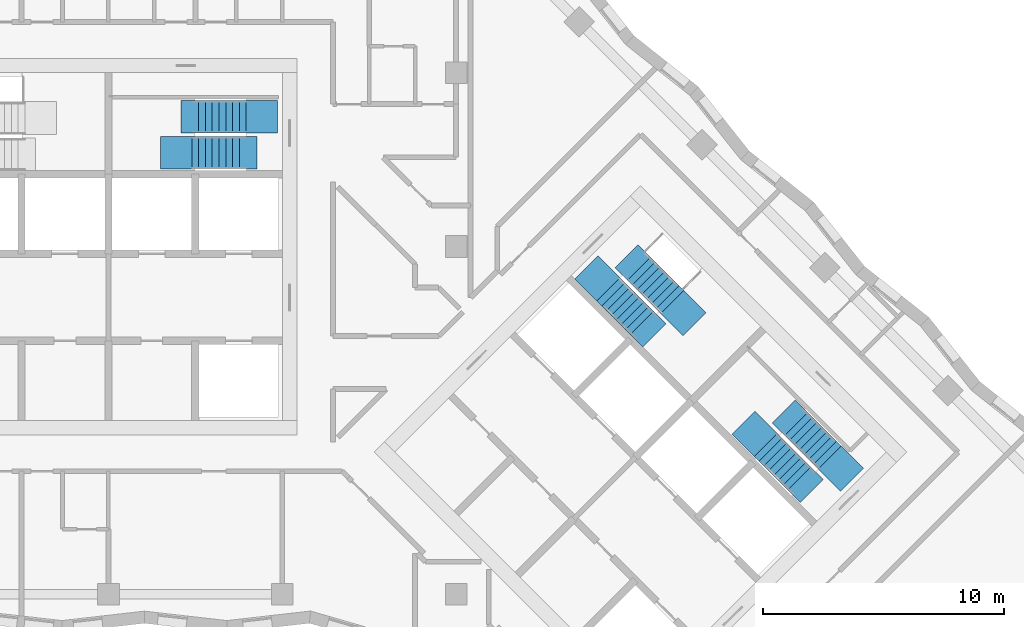
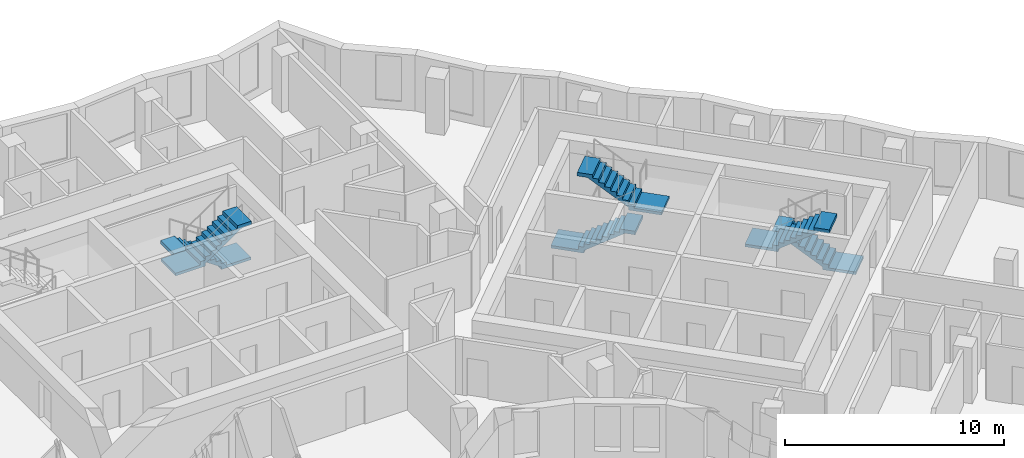
# One storey, part 10 of 12: 6 stair flights, 3 elements without a shape of their own.
"""IFC4 building model written with IfcOpenShell, lengths in metres."""

from ifc_helpers import new_model, si_unit, direction, frame, origin, place, context, subcontext, project, spatial, polyline, outline, extrude, material, type_object, element, aggregate, save


model = new_model("IFC4")

# Units and contexts
model_context = context("Model", 3, precision=1e-05, world=origin(), true_north=direction((0.0, 1.0)))
body_context = subcontext(model_context, "Body", "Model", "MODEL_VIEW")
ifc_project = project(units=[si_unit("LENGTHUNIT", "METRE"), si_unit("AREAUNIT", "SQUARE_METRE"), si_unit("VOLUMEUNIT", "CUBIC_METRE"), si_unit("PLANEANGLEUNIT", "RADIAN"), si_unit("MASSUNIT", "GRAM", prefix="KILO")], contexts=[model_context])

# Site, building, storey
site_placement = place(None, origin())
site = spatial("IfcSite", under=ifc_project, at=site_placement, CompositionType="ELEMENT")
building_placement = place(site_placement, origin())
building = spatial("IfcBuilding", under=site, at=building_placement, Name="Windrow Commons", CompositionType="ELEMENT")
storey_placement = place(building_placement, frame((0.0, 0.0, 145.6)))
storey = spatial("IfcBuildingStorey", under=building, at=storey_placement, Name="L39", CompositionType="ELEMENT", Elevation=145.6)

# Stair, stair flights
ifc_material_1 = material(Name="Concrete C40/50", Category="concrete")
stair_type = type_object("IfcStairType", Name="Core stair", PredefinedType="HALF_TURN_STAIR", material=ifc_material_1)
placement = place(storey_placement, origin())
stair_1 = element("IfcStair", 1, at=placement, inside=storey, type_object=stair_type, Name="L39 Exit stair A2 core A", PredefinedType="HALF_TURN_STAIR")
ifc_material_2 = material(Name="Concrete C40/50", Category="concrete")
stair_flight_type = type_object("IfcStairFlightType", Name="Core stair flight", PredefinedType="STRAIGHT", material=ifc_material_2)
stair_flight_1_placement = place(storey_placement, frame((70.5, 62.98, 0.0), z_axis=(0.0, 0.0, 1.0), x_axis=(-1.0, 0.0, 0.0)))
stair_flight_1 = element("IfcStairFlight", 2, at=stair_flight_1_placement, type_object=stair_flight_type, Name="ST-A2 flight 1", NumberOfRisers=9, NumberOfTreads=8, PredefinedType="STRAIGHT", RiserHeight=0.188888889, TreadLength=0.28, context=body_context, shape_type="SweptSolid", body=[
    extrude(outline(polyline([(-1.3, -0.15), (-1.3, 0.0), (0.0, 0.0), (0.0, 0.1889), (0.28, 0.1889), (0.28, 0.3778), (0.56, 0.3778), (0.56, 0.5667), (0.84, 0.5667), (0.84, 0.7556), (1.12, 0.7556), (1.12, 0.9444), (1.4, 0.9444), (1.4, 1.1333), (1.68, 1.1333), (1.68, 1.3222), (1.96, 1.3222), (1.96, 1.5111), (2.24, 1.5111), (2.69, 1.5111), (2.69, 1.3111), (2.24, 1.3111), (2.24, 1.3302), (0.2682, 0.0), (0.2682, -0.15), (-1.3, -0.15)])), frame((0.0, 0.675, 0.0), z_axis=(0.0, -1.0, 0.0), x_axis=(1.0, 0.0, 0.0)), (0.0, 0.0, 1.0), 1.35),
])
stair_flight_2_placement = place(storey_placement, frame((68.26, 61.48, 1.7), z_axis=(0.0, 0.0, 1.0), x_axis=(1.0, 0.0, 0.0)))
stair_flight_2 = element("IfcStairFlight", 3, at=stair_flight_2_placement, type_object=stair_flight_type, Name="ST-A2 flight 2", NumberOfRisers=9, NumberOfTreads=8, PredefinedType="STRAIGHT", RiserHeight=0.188888889, TreadLength=0.28, context=body_context, shape_type="SweptSolid", body=[
    extrude(outline(polyline([(-1.3, -0.15), (-1.3, 0.0), (0.0, 0.0), (0.0, 0.1889), (0.28, 0.1889), (0.28, 0.3778), (0.56, 0.3778), (0.56, 0.5667), (0.84, 0.5667), (0.84, 0.7556), (1.12, 0.7556), (1.12, 0.9444), (1.4, 0.9444), (1.4, 1.1333), (1.68, 1.1333), (1.68, 1.3222), (1.96, 1.3222), (1.96, 1.5111), (2.24, 1.5111), (2.69, 1.5111), (2.69, 1.3111), (2.24, 1.3111), (2.24, 1.3302), (0.2682, 0.0), (0.2682, -0.15), (-1.3, -0.15)])), frame((0.0, 0.675, 0.0), z_axis=(0.0, -1.0, 0.0), x_axis=(1.0, 0.0, 0.0)), (0.0, 0.0, 1.0), 1.35),
])
aggregate(stair_1, [stair_flight_1, stair_flight_2])

stair_2 = element("IfcStair", 4, at=placement, inside=storey, type_object=stair_type, Name="L39 Exit stair B1 core B", PredefinedType="HALF_TURN_STAIR")
stair_flight_3_placement = place(storey_placement, frame((85.5109, 55.8249, 0.0), z_axis=(0.0, 0.0, 1.0), x_axis=(0.7071067812, -0.7071067812, 0.0)))
stair_flight_3 = element("IfcStairFlight", 5, at=stair_flight_3_placement, type_object=stair_flight_type, Name="ST-B1 flight 1", NumberOfRisers=9, NumberOfTreads=8, PredefinedType="STRAIGHT", RiserHeight=0.188888889, TreadLength=0.28, context=body_context, shape_type="SweptSolid", body=[
    extrude(outline(polyline([(-1.3, -0.15), (-1.3, 0.0), (0.0, 0.0), (0.0, 0.1889), (0.28, 0.1889), (0.28, 0.3778), (0.56, 0.3778), (0.56, 0.5667), (0.84, 0.5667), (0.84, 0.7556), (1.12, 0.7556), (1.12, 0.9444), (1.4, 0.9444), (1.4, 1.1333), (1.68, 1.1333), (1.68, 1.3222), (1.96, 1.3222), (1.96, 1.5111), (2.24, 1.5111), (2.69, 1.5111), (2.69, 1.3111), (2.24, 1.3111), (2.24, 1.3302), (0.2682, 0.0), (0.2682, -0.15), (-1.3, -0.15)])), frame((0.0, 0.675, 0.0), z_axis=(0.0, -1.0, 0.0), x_axis=(1.0, 0.0, 0.0)), (0.0, 0.0, 1.0), 1.35),
])
stair_flight_4_placement = place(storey_placement, frame((88.1555, 55.3017, 1.7), z_axis=(0.0, 0.0, 1.0), x_axis=(-0.7071067812, 0.7071067812, 0.0)))
stair_flight_4 = element("IfcStairFlight", 6, at=stair_flight_4_placement, type_object=stair_flight_type, Name="ST-B1 flight 2", NumberOfRisers=9, NumberOfTreads=8, PredefinedType="STRAIGHT", RiserHeight=0.188888889, TreadLength=0.28, context=body_context, shape_type="SweptSolid", body=[
    extrude(outline(polyline([(-1.3, -0.15), (-1.3, 0.0), (0.0, 0.0), (0.0, 0.1889), (0.28, 0.1889), (0.28, 0.3778), (0.56, 0.3778), (0.56, 0.5667), (0.84, 0.5667), (0.84, 0.7556), (1.12, 0.7556), (1.12, 0.9444), (1.4, 0.9444), (1.4, 1.1333), (1.68, 1.1333), (1.68, 1.3222), (1.96, 1.3222), (1.96, 1.5111), (2.24, 1.5111), (2.69, 1.5111), (2.69, 1.3111), (2.24, 1.3111), (2.24, 1.3302), (0.2682, 0.0), (0.2682, -0.15), (-1.3, -0.15)])), frame((0.0, 0.675, 0.0), z_axis=(0.0, -1.0, 0.0), x_axis=(1.0, 0.0, 0.0)), (0.0, 0.0, 1.0), 1.35),
])
aggregate(stair_2, [stair_flight_3, stair_flight_4])

stair_3 = element("IfcStair", 7, at=placement, inside=storey, type_object=stair_type, Name="L39 Exit stair B2 core B", PredefinedType="HALF_TURN_STAIR")
stair_flight_5_placement = place(storey_placement, frame((94.6715, 48.8635, 0.0), z_axis=(0.0, 0.0, 1.0), x_axis=(-0.7071067812, 0.7071067812, 0.0)))
stair_flight_5 = element("IfcStairFlight", 8, at=stair_flight_5_placement, type_object=stair_flight_type, Name="ST-B2 flight 1", NumberOfRisers=9, NumberOfTreads=8, PredefinedType="STRAIGHT", RiserHeight=0.188888889, TreadLength=0.28, context=body_context, shape_type="SweptSolid", body=[
    extrude(outline(polyline([(-1.3, -0.15), (-1.3, 0.0), (0.0, 0.0), (0.0, 0.1889), (0.28, 0.1889), (0.28, 0.3778), (0.56, 0.3778), (0.56, 0.5667), (0.84, 0.5667), (0.84, 0.7556), (1.12, 0.7556), (1.12, 0.9444), (1.4, 0.9444), (1.4, 1.1333), (1.68, 1.1333), (1.68, 1.3222), (1.96, 1.3222), (1.96, 1.5111), (2.24, 1.5111), (2.69, 1.5111), (2.69, 1.3111), (2.24, 1.3111), (2.24, 1.3302), (0.2682, 0.0), (0.2682, -0.15), (-1.3, -0.15)])), frame((0.0, 0.675, 0.0), z_axis=(0.0, -1.0, 0.0), x_axis=(1.0, 0.0, 0.0)), (0.0, 0.0, 1.0), 1.35),
])
stair_flight_6_placement = place(storey_placement, frame((92.0269, 49.3867, 1.7), z_axis=(0.0, 0.0, 1.0), x_axis=(0.7071067812, -0.7071067812, 0.0)))
stair_flight_6 = element("IfcStairFlight", 9, at=stair_flight_6_placement, type_object=stair_flight_type, Name="ST-B2 flight 2", NumberOfRisers=9, NumberOfTreads=8, PredefinedType="STRAIGHT", RiserHeight=0.188888889, TreadLength=0.28, context=body_context, shape_type="SweptSolid", body=[
    extrude(outline(polyline([(-1.3, -0.15), (-1.3, 0.0), (0.0, 0.0), (0.0, 0.1889), (0.28, 0.1889), (0.28, 0.3778), (0.56, 0.3778), (0.56, 0.5667), (0.84, 0.5667), (0.84, 0.7556), (1.12, 0.7556), (1.12, 0.9444), (1.4, 0.9444), (1.4, 1.1333), (1.68, 1.1333), (1.68, 1.3222), (1.96, 1.3222), (1.96, 1.5111), (2.24, 1.5111), (2.69, 1.5111), (2.69, 1.3111), (2.24, 1.3111), (2.24, 1.3302), (0.2682, 0.0), (0.2682, -0.15), (-1.3, -0.15)])), frame((0.0, 0.675, 0.0), z_axis=(0.0, -1.0, 0.0), x_axis=(1.0, 0.0, 0.0)), (0.0, 0.0, 1.0), 1.35),
])
aggregate(stair_3, [stair_flight_5, stair_flight_6])

save(model, "model.ifc")
